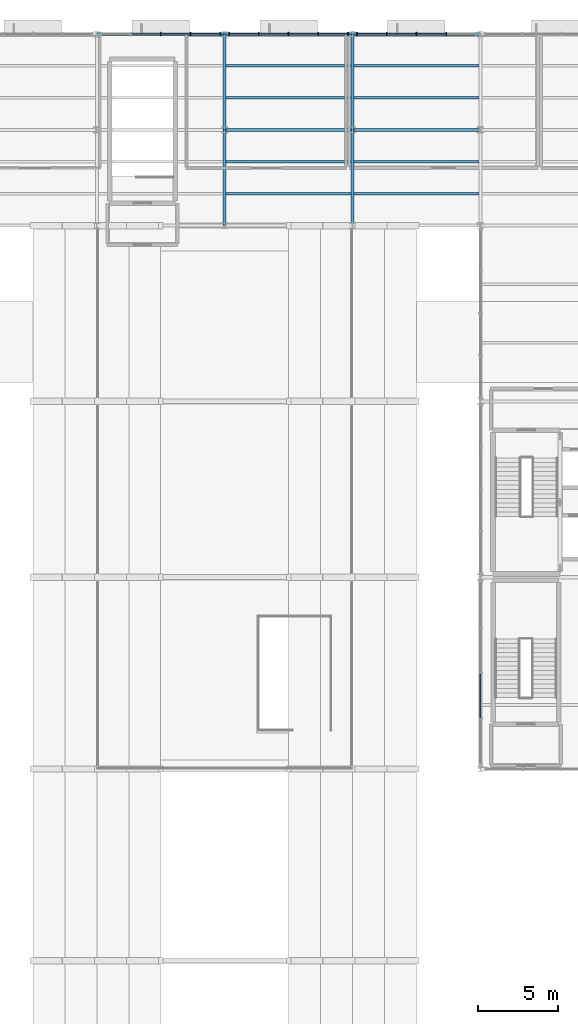
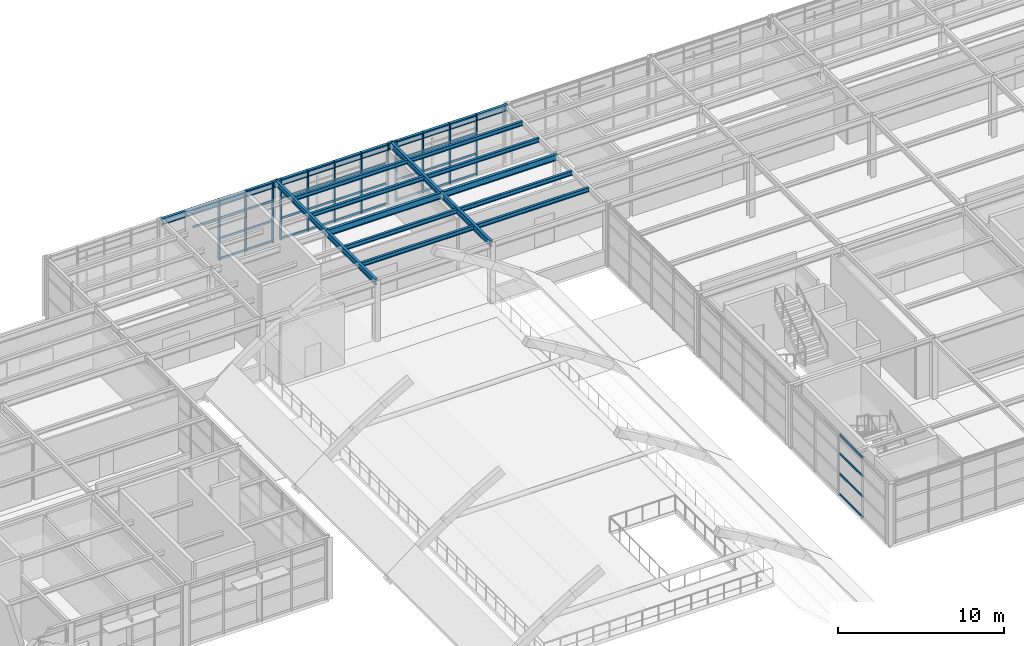
# One storey, part 31 of 82: 54 members, 17 beams, 4 elements without a shape of their own.
"""IFC4 building model written with IfcOpenShell, lengths in metres."""

from ifc_helpers import new_model, si_unit, direction, frame, origin, origin_2d, place, context, subcontext, project, spatial, rectangle, i_section, extrude, material, layer, layer_set, material_profile, profile_set, type_object, element, aggregate, save


model = new_model("IFC4")

# Units and contexts
model_context = context("Model", 3, precision=1e-05, world=origin(), true_north=direction((0.0, 1.0)))
body_context = subcontext(model_context, "Body", "Model", "MODEL_VIEW")
ifc_project = project(units=[si_unit("LENGTHUNIT", "METRE"), si_unit("AREAUNIT", "SQUARE_METRE"), si_unit("VOLUMEUNIT", "CUBIC_METRE"), si_unit("PLANEANGLEUNIT", "RADIAN"), si_unit("MASSUNIT", "GRAM", prefix="KILO")], contexts=[model_context])

# Site, building, storey
site_placement = place(None, origin())
site = spatial("IfcSite", under=ifc_project, at=site_placement, CompositionType="ELEMENT")
building_placement = place(site_placement, origin())
building = spatial("IfcBuilding", under=site, at=building_placement, Name="Sitalva Quay Ferry Terminal", CompositionType="ELEMENT")
storey_placement = place(building_placement, frame((0.0, 0.0, 5.39990234375)))
storey = spatial("IfcBuildingStorey", under=building, at=storey_placement, Name="L02", CompositionType="ELEMENT", Elevation=5.39990234375)

# Beams
ifc_material_1 = material(Name="Structural Steel S355JR", Category="steel")
ifc_material_profile_1 = material_profile(ifc_material_1, i_section(OverallWidth=0.180908203125, OverallDepth=0.4169921875, WebThickness=0.010986328125, FlangeThickness=0.018310546875, FilletRadius=0.012939453125, at=origin_2d()), Name="W410x85")
ifc_profile_set_1 = profile_set([ifc_material_profile_1], Name="Structural Steel S355JR")
beam_type_1 = type_object("IfcBeamType", Name="Beam_W410x85", PredefinedType="BEAM", material=ifc_profile_set_1)
for number, where, z_axis, x_axis, name in (
    (1, (58.0, 100.0, 4.24169921875), (0.0, 1.0, 0.0), (-1.0, 0.0, 0.0), "L02 Primary Y girder 1144"),
    (2, (58.0, 106.0, 4.24169921875), (0.0, 1.0, 0.0), (-1.0, 0.0, 0.0), "L02 Primary Y girder 1145"),
    (3, (66.0, 100.0, 4.24169921875), (0.0, 1.0, 0.0), (-1.0, 0.0, 0.0), "L02 Primary Y girder 1146"),
    (4, (66.0, 106.0, 4.24169921875), (0.0, 1.0, 0.0), (-1.0, 0.0, 0.0), "L02 Primary Y girder 1147"),
):
    element("IfcBeam", number, at=place(storey_placement, frame(where, z_axis=z_axis, x_axis=x_axis)), inside=storey, type_object=beam_type_1, Name=name, PredefinedType="BEAM", context=body_context, shape_type="SweptSolid", body=[
        extrude(i_section(OverallWidth=0.180908203125, OverallDepth=0.4169921875, WebThickness=0.010986328125, FlangeThickness=0.018310546875, FilletRadius=0.012939453125, at=origin_2d()), origin(), (0.0, 0.0, 1.0), 6.0),
    ])
ifc_material_2 = material(Name="Structural Steel S355JR", Category="steel")
ifc_material_profile_2 = material_profile(ifc_material_2, i_section(OverallWidth=0.19091796875, OverallDepth=0.4599609375, WebThickness=0.010009765625, FlangeThickness=0.01611328125, FilletRadius=0.013916015625, at=origin_2d()), Name="W460x82")
ifc_profile_set_2 = profile_set([ifc_material_profile_2], Name="Structural Steel S355JR")
beam_type_2 = type_object("IfcBeamType", Name="Beam_W460x82", PredefinedType="BEAM", material=ifc_profile_set_2)
for number, where, z_axis, x_axis, name in (
    (5, (58.0, 106.0, 4.22021484375), (1.0, 0.0, 0.0), (0.0, 1.0, 0.0), "L02 Primary X girder 1135"),
    (6, (66.0, 106.0, 4.22021484375), (1.0, 0.0, 0.0), (0.0, 1.0, 0.0), "L02 Primary X girder 1136"),
    (7, (50.0, 112.0, 4.22021484375), (1.0, 0.0, 0.0), (0.0, 1.0, 0.0), "L02 Primary X girder 1138"),
    (8, (58.0, 112.0, 4.22021484375), (1.0, 0.0, 0.0), (0.0, 1.0, 0.0), "L02 Primary X girder 1139"),
    (9, (66.0, 112.0, 4.22021484375), (1.0, 0.0, 0.0), (0.0, 1.0, 0.0), "L02 Primary X girder 1140"),
):
    element("IfcBeam", number, at=place(storey_placement, frame(where, z_axis=z_axis, x_axis=x_axis)), inside=storey, type_object=beam_type_2, Name=name, PredefinedType="BEAM", context=body_context, shape_type="SweptSolid", body=[
        extrude(i_section(OverallWidth=0.19091796875, OverallDepth=0.4599609375, WebThickness=0.010009765625, FlangeThickness=0.01611328125, FilletRadius=0.013916015625, at=origin_2d()), origin(), (0.0, 0.0, 1.0), 8.0),
    ])
ifc_material_3 = material(Name="Structural Steel S355JR", Category="steel")
ifc_material_profile_3 = material_profile(ifc_material_3, i_section(OverallWidth=0.166015625, OverallDepth=0.31298828125, WebThickness=0.006591796875, FlangeThickness=0.01123046875, FilletRadius=0.010986328125, at=origin_2d()), Name="W310x45")
ifc_profile_set_3 = profile_set([ifc_material_profile_3], Name="Structural Steel S355JR")
beam_type_3 = type_object("IfcBeamType", Name="Joist_W310x45", PredefinedType="JOIST", material=ifc_profile_set_3)
for number, where, z_axis, x_axis, name in (
    (10, (58.090576171875, 102.0, 4.293701171875), (1.0, 0.0, 0.0), (0.0, 1.0, 0.0), "L02 Secondary joist 1151"),
    (11, (66.090576171875, 102.0, 4.293701171875), (1.0, 0.0, 0.0), (0.0, 1.0, 0.0), "L02 Secondary joist 1152"),
    (12, (58.090576171875, 104.0, 4.293701171875), (1.0, 0.0, 0.0), (0.0, 1.0, 0.0), "L02 Secondary joist 1155"),
    (13, (66.090576171875, 104.0, 4.293701171875), (1.0, 0.0, 0.0), (0.0, 1.0, 0.0), "L02 Secondary joist 1156"),
    (14, (58.090576171875, 108.0, 4.293701171875), (1.0, 0.0, 0.0), (0.0, 1.0, 0.0), "L02 Secondary joist 1159"),
    (15, (66.090576171875, 108.0, 4.293701171875), (1.0, 0.0, 0.0), (0.0, 1.0, 0.0), "L02 Secondary joist 1160"),
    (16, (58.090576171875, 110.0, 4.293701171875), (1.0, 0.0, 0.0), (0.0, 1.0, 0.0), "L02 Secondary joist 1163"),
    (17, (66.090576171875, 110.0, 4.293701171875), (1.0, 0.0, 0.0), (0.0, 1.0, 0.0), "L02 Secondary joist 1164"),
):
    element("IfcBeam", number, at=place(storey_placement, frame(where, z_axis=z_axis, x_axis=x_axis)), inside=storey, type_object=beam_type_3, Name=name, PredefinedType="JOIST", context=body_context, shape_type="SweptSolid", body=[
        extrude(i_section(OverallWidth=0.166015625, OverallDepth=0.31298828125, WebThickness=0.006591796875, FlangeThickness=0.01123046875, FilletRadius=0.010986328125, at=origin_2d()), origin(), (0.0, 0.0, 1.0), 7.81884765625),
    ])

# Curtain wall, members
ifc_material_4 = material(Name="Anodised Aluminium & Low-E Glazing", Category="aluminium")
ifc_layer_1 = layer(ifc_material_4, 0.159912109375)
ifc_layer_set_1 = layer_set([ifc_layer_1], Name="Anodised Aluminium & Low-E Glazing")
curtain_wall_type_1 = type_object("IfcCurtainWallType", Name="CW_Office_Unitised", PredefinedType="USERDEFINED", material=ifc_layer_set_1)
curtain_wall_1_placement = place(storey_placement, origin())
curtain_wall_1 = element("IfcCurtainWall", 18, at=curtain_wall_1_placement, inside=storey, type_object=curtain_wall_type_1, Name="L02 forecourt horizontal curtain wall (CW-L02-116)", ObjectType="CURTAIN_WALL", PredefinedType="USERDEFINED")
ifc_material_5 = material(Name="Anodised Aluminium 6063-T6", Category="aluminium")
ifc_material_profile_4 = material_profile(ifc_material_5, rectangle(XDim=0.074951171875, YDim=0.219970703125, at=origin_2d()), Name="ALU75x220")
ifc_profile_set_4 = profile_set([ifc_material_profile_4], Name="Anodised Aluminium 6063-T6")
member_type_1 = type_object("IfcMemberType", Name="Mullion_Alu_75x160", PredefinedType="MULLION", material=ifc_profile_set_4)
member_1_placement = place(storey_placement, frame((54.0, 112.0, 0.0), z_axis=(0.0, 0.0, 1.0), x_axis=(1.0, 0.0, 0.0)))
member_1 = element("IfcMember", 19, at=member_1_placement, type_object=member_type_1, Name="CW-L02-116-M2", PredefinedType="MULLION", context=body_context, shape_type="SweptSolid", body=[
    extrude(rectangle(XDim=0.074951171875, YDim=0.219970703125, at=origin_2d()), origin(), (0.0, 0.0, 1.0), 4.4501953125),
])
member_2_placement = place(storey_placement, frame((55.860107421875, 112.0, 0.0), z_axis=(0.0, 0.0, 1.0), x_axis=(1.0, 0.0, 0.0)))
member_2 = element("IfcMember", 20, at=member_2_placement, type_object=member_type_1, Name="CW-L02-116-M3", PredefinedType="MULLION", context=body_context, shape_type="SweptSolid", body=[
    extrude(rectangle(XDim=0.074951171875, YDim=0.219970703125, at=origin_2d()), origin(), (0.0, 0.0, 1.0), 4.4501953125),
])
member_3_placement = place(storey_placement, frame((57.719970703125, 112.0, 0.0), z_axis=(0.0, 0.0, 1.0), x_axis=(1.0, 0.0, 0.0)))
member_3 = element("IfcMember", 21, at=member_3_placement, type_object=member_type_1, Name="CW-L02-116-M4", PredefinedType="MULLION", context=body_context, shape_type="SweptSolid", body=[
    extrude(rectangle(XDim=0.074951171875, YDim=0.219970703125, at=origin_2d()), origin(), (0.0, 0.0, 1.0), 4.4501953125),
])

curtain_wall_2_placement = place(storey_placement, origin())
curtain_wall_2 = element("IfcCurtainWall", 22, at=curtain_wall_2_placement, inside=storey, type_object=curtain_wall_type_1, Name="L02 forecourt horizontal curtain wall (CW-L02-117)", ObjectType="CURTAIN_WALL", PredefinedType="USERDEFINED")
member_4_placement = place(storey_placement, frame((58.280029296875, 112.0, 0.0), z_axis=(0.0, 0.0, 1.0), x_axis=(1.0, 0.0, 0.0)))
member_4 = element("IfcMember", 23, at=member_4_placement, type_object=member_type_1, Name="CW-L02-117-M0", PredefinedType="MULLION", context=body_context, shape_type="SweptSolid", body=[
    extrude(rectangle(XDim=0.074951171875, YDim=0.219970703125, at=origin_2d()), origin(), (0.0, 0.0, 1.0), 4.4501953125),
])
member_5_placement = place(storey_placement, frame((60.139892578125, 112.0, 0.0), z_axis=(0.0, 0.0, 1.0), x_axis=(1.0, 0.0, 0.0)))
member_5 = element("IfcMember", 24, at=member_5_placement, type_object=member_type_1, Name="CW-L02-117-M1", PredefinedType="MULLION", context=body_context, shape_type="SweptSolid", body=[
    extrude(rectangle(XDim=0.074951171875, YDim=0.219970703125, at=origin_2d()), origin(), (0.0, 0.0, 1.0), 4.4501953125),
])
member_6_placement = place(storey_placement, frame((62.0, 112.0, 0.0), z_axis=(0.0, 0.0, 1.0), x_axis=(1.0, 0.0, 0.0)))
member_6 = element("IfcMember", 25, at=member_6_placement, type_object=member_type_1, Name="CW-L02-117-M2", PredefinedType="MULLION", context=body_context, shape_type="SweptSolid", body=[
    extrude(rectangle(XDim=0.074951171875, YDim=0.219970703125, at=origin_2d()), origin(), (0.0, 0.0, 1.0), 4.4501953125),
])
member_7_placement = place(storey_placement, frame((63.860107421875, 112.0, 0.0), z_axis=(0.0, 0.0, 1.0), x_axis=(1.0, 0.0, 0.0)))
member_7 = element("IfcMember", 26, at=member_7_placement, type_object=member_type_1, Name="CW-L02-117-M3", PredefinedType="MULLION", context=body_context, shape_type="SweptSolid", body=[
    extrude(rectangle(XDim=0.074951171875, YDim=0.219970703125, at=origin_2d()), origin(), (0.0, 0.0, 1.0), 4.4501953125),
])
member_8_placement = place(storey_placement, frame((65.719970703125, 112.0, 0.0), z_axis=(0.0, 0.0, 1.0), x_axis=(1.0, 0.0, 0.0)))
member_8 = element("IfcMember", 27, at=member_8_placement, type_object=member_type_1, Name="CW-L02-117-M4", PredefinedType="MULLION", context=body_context, shape_type="SweptSolid", body=[
    extrude(rectangle(XDim=0.074951171875, YDim=0.219970703125, at=origin_2d()), origin(), (0.0, 0.0, 1.0), 4.4501953125),
])

curtain_wall_3_placement = place(storey_placement, origin())
curtain_wall_3 = element("IfcCurtainWall", 28, at=curtain_wall_3_placement, inside=storey, type_object=curtain_wall_type_1, Name="L02 forecourt horizontal curtain wall (CW-L02-118)", ObjectType="CURTAIN_WALL", PredefinedType="USERDEFINED")
member_9_placement = place(storey_placement, frame((66.280029296875, 112.0, 0.0), z_axis=(0.0, 0.0, 1.0), x_axis=(1.0, 0.0, 0.0)))
member_9 = element("IfcMember", 29, at=member_9_placement, type_object=member_type_1, Name="CW-L02-118-M0", PredefinedType="MULLION", context=body_context, shape_type="SweptSolid", body=[
    extrude(rectangle(XDim=0.074951171875, YDim=0.219970703125, at=origin_2d()), origin(), (0.0, 0.0, 1.0), 4.4501953125),
])
member_10_placement = place(storey_placement, frame((68.139892578125, 112.0, 0.0), z_axis=(0.0, 0.0, 1.0), x_axis=(1.0, 0.0, 0.0)))
member_10 = element("IfcMember", 30, at=member_10_placement, type_object=member_type_1, Name="CW-L02-118-M1", PredefinedType="MULLION", context=body_context, shape_type="SweptSolid", body=[
    extrude(rectangle(XDim=0.074951171875, YDim=0.219970703125, at=origin_2d()), origin(), (0.0, 0.0, 1.0), 4.4501953125),
])
member_11_placement = place(storey_placement, frame((70.0, 112.0, 0.0), z_axis=(0.0, 0.0, 1.0), x_axis=(1.0, 0.0, 0.0)))
member_11 = element("IfcMember", 31, at=member_11_placement, type_object=member_type_1, Name="CW-L02-118-M2", PredefinedType="MULLION", context=body_context, shape_type="SweptSolid", body=[
    extrude(rectangle(XDim=0.074951171875, YDim=0.219970703125, at=origin_2d()), origin(), (0.0, 0.0, 1.0), 4.4501953125),
])
member_12_placement = place(storey_placement, frame((71.860107421875, 112.0, 0.0), z_axis=(0.0, 0.0, 1.0), x_axis=(1.0, 0.0, 0.0)))
member_12 = element("IfcMember", 32, at=member_12_placement, type_object=member_type_1, Name="CW-L02-118-M3", PredefinedType="MULLION", context=body_context, shape_type="SweptSolid", body=[
    extrude(rectangle(XDim=0.074951171875, YDim=0.219970703125, at=origin_2d()), origin(), (0.0, 0.0, 1.0), 4.4501953125),
])

ifc_material_6 = material(Name="Anodised Aluminium & Low-E Glazing", Category="aluminium")
ifc_layer_2 = layer(ifc_material_6, 0.159912109375)
ifc_layer_set_2 = layer_set([ifc_layer_2], Name="Anodised Aluminium & Low-E Glazing")
curtain_wall_type_2 = type_object("IfcCurtainWallType", Name="CW_Podium_Stick", PredefinedType="USERDEFINED", material=ifc_layer_set_2)
curtain_wall_4_placement = place(storey_placement, origin())
curtain_wall_4 = element("IfcCurtainWall", 33, at=curtain_wall_4_placement, inside=storey, type_object=curtain_wall_type_2, Name="L02 spine west clerestory over V1 eaves (CW-L02-085)", ObjectType="CURTAIN_WALL", PredefinedType="USERDEFINED")
ifc_material_7 = material(Name="Anodised Aluminium 6063-T6", Category="aluminium")
ifc_material_profile_5 = material_profile(ifc_material_7, rectangle(XDim=0.074951171875, YDim=0.155029296875, at=origin_2d()), Name="ALU75x155")
ifc_profile_set_5 = profile_set([ifc_material_profile_5], Name="Anodised Aluminium 6063-T6")
member_type_2 = type_object("IfcMemberType", Name="Transom_Alu_70x135", PredefinedType="MULLION", material=ifc_profile_set_5)
member_13_placement = place(storey_placement, frame((74.0, 69.197509765625, 0.07763671875), z_axis=(0.0, 1.0, 0.0), x_axis=(-1.0, 0.0, 0.0)))
member_13 = element("IfcMember", 34, at=member_13_placement, type_object=member_type_2, Name="CW-L02-085-T1-0", ObjectType="TRANSOM", PredefinedType="USERDEFINED", context=body_context, shape_type="SweptSolid", body=[
    extrude(rectangle(XDim=0.074951171875, YDim=0.155029296875, at=origin_2d()), origin(), (0.0, 0.0, 1.0), 2.764892578125),
])
member_14_placement = place(storey_placement, frame((74.0, 69.197509765625, 1.57763671875), z_axis=(0.0, 1.0, 0.0), x_axis=(-1.0, 0.0, 0.0)))
member_14 = element("IfcMember", 35, at=member_14_placement, type_object=member_type_2, Name="CW-L02-085-T1-1", ObjectType="TRANSOM", PredefinedType="USERDEFINED", context=body_context, shape_type="SweptSolid", body=[
    extrude(rectangle(XDim=0.074951171875, YDim=0.155029296875, at=origin_2d()), origin(), (0.0, 0.0, 1.0), 2.764892578125),
])
member_15_placement = place(storey_placement, frame((74.0, 69.197509765625, 3.07763671875), z_axis=(0.0, 1.0, 0.0), x_axis=(-1.0, 0.0, 0.0)))
member_15 = element("IfcMember", 36, at=member_15_placement, type_object=member_type_2, Name="CW-L02-085-T1-2", ObjectType="TRANSOM", PredefinedType="USERDEFINED", context=body_context, shape_type="SweptSolid", body=[
    extrude(rectangle(XDim=0.074951171875, YDim=0.155029296875, at=origin_2d()), origin(), (0.0, 0.0, 1.0), 2.764892578125),
])
member_16_placement = place(storey_placement, frame((74.0, 69.197509765625, 4.422607421875), z_axis=(0.0, 1.0, 0.0), x_axis=(-1.0, 0.0, 0.0)))
member_16 = element("IfcMember", 37, at=member_16_placement, type_object=member_type_2, Name="CW-L02-085-T1-3", ObjectType="TRANSOM", PredefinedType="USERDEFINED", context=body_context, shape_type="SweptSolid", body=[
    extrude(rectangle(XDim=0.074951171875, YDim=0.155029296875, at=origin_2d()), origin(), (0.0, 0.0, 1.0), 2.764892578125),
])
aggregate(curtain_wall_4, [member_13, member_14, member_15, member_16])

# Member
ifc_material_8 = material(Name="Anodised Aluminium 6063-T6", Category="aluminium")
ifc_material_profile_6 = material_profile(ifc_material_8, rectangle(XDim=0.074951171875, YDim=0.14990234375, at=origin_2d()), Name="ALU75x150")
ifc_profile_set_6 = profile_set([ifc_material_profile_6], Name="Anodised Aluminium 6063-T6")
member_type_3 = type_object("IfcMemberType", Name="Transom_Alu_75x140", PredefinedType="MULLION", material=ifc_profile_set_6)
member_17_placement = place(storey_placement, frame((52.177490234375, 112.0, 3.041748046875), z_axis=(1.0, 0.0, 0.0), x_axis=(0.0, 1.0, 0.0)))
member_17 = element("IfcMember", 38, at=member_17_placement, type_object=member_type_3, Name="CW-L02-116-T1-2", ObjectType="TRANSOM", PredefinedType="USERDEFINED", context=body_context, shape_type="SweptSolid", body=[
    extrude(rectangle(XDim=0.074951171875, YDim=0.14990234375, at=origin_2d()), origin(), (0.0, 0.0, 1.0), 1.784912109375),
])

member_18_placement = place(storey_placement, frame((52.177490234375, 112.0, 4.375), z_axis=(1.0, 0.0, 0.0), x_axis=(0.0, 1.0, 0.0)))
member_18 = element("IfcMember", 39, at=member_18_placement, type_object=member_type_3, Name="CW-L02-116-T1-3", ObjectType="TRANSOM", PredefinedType="USERDEFINED", context=body_context, shape_type="SweptSolid", body=[
    extrude(rectangle(XDim=0.074951171875, YDim=0.14990234375, at=origin_2d()), origin(), (0.0, 0.0, 1.0), 1.784912109375),
])

member_19_placement = place(storey_placement, frame((54.03759765625, 112.0, 0.0751953125), z_axis=(1.0, 0.0, 0.0), x_axis=(0.0, 1.0, 0.0)))
member_19 = element("IfcMember", 40, at=member_19_placement, type_object=member_type_3, Name="CW-L02-116-T2-0", ObjectType="TRANSOM", PredefinedType="USERDEFINED", context=body_context, shape_type="SweptSolid", body=[
    extrude(rectangle(XDim=0.074951171875, YDim=0.14990234375, at=origin_2d()), origin(), (0.0, 0.0, 1.0), 1.784912109375),
])

member_20_placement = place(storey_placement, frame((54.03759765625, 112.0, 1.558349609375), z_axis=(1.0, 0.0, 0.0), x_axis=(0.0, 1.0, 0.0)))
member_20 = element("IfcMember", 41, at=member_20_placement, type_object=member_type_3, Name="CW-L02-116-T2-1", ObjectType="TRANSOM", PredefinedType="USERDEFINED", context=body_context, shape_type="SweptSolid", body=[
    extrude(rectangle(XDim=0.074951171875, YDim=0.14990234375, at=origin_2d()), origin(), (0.0, 0.0, 1.0), 1.784912109375),
])

member_21_placement = place(storey_placement, frame((54.03759765625, 112.0, 3.041748046875), z_axis=(1.0, 0.0, 0.0), x_axis=(0.0, 1.0, 0.0)))
member_21 = element("IfcMember", 42, at=member_21_placement, type_object=member_type_3, Name="CW-L02-116-T2-2", ObjectType="TRANSOM", PredefinedType="USERDEFINED", context=body_context, shape_type="SweptSolid", body=[
    extrude(rectangle(XDim=0.074951171875, YDim=0.14990234375, at=origin_2d()), origin(), (0.0, 0.0, 1.0), 1.784912109375),
])

member_22_placement = place(storey_placement, frame((54.03759765625, 112.0, 4.375), z_axis=(1.0, 0.0, 0.0), x_axis=(0.0, 1.0, 0.0)))
member_22 = element("IfcMember", 43, at=member_22_placement, type_object=member_type_3, Name="CW-L02-116-T2-3", ObjectType="TRANSOM", PredefinedType="USERDEFINED", context=body_context, shape_type="SweptSolid", body=[
    extrude(rectangle(XDim=0.074951171875, YDim=0.14990234375, at=origin_2d()), origin(), (0.0, 0.0, 1.0), 1.784912109375),
])

member_23_placement = place(storey_placement, frame((55.8974609375, 112.0, 0.0751953125), z_axis=(1.0, 0.0, 0.0), x_axis=(0.0, 1.0, 0.0)))
member_23 = element("IfcMember", 44, at=member_23_placement, type_object=member_type_3, Name="CW-L02-116-T3-0", ObjectType="TRANSOM", PredefinedType="USERDEFINED", context=body_context, shape_type="SweptSolid", body=[
    extrude(rectangle(XDim=0.074951171875, YDim=0.14990234375, at=origin_2d()), origin(), (0.0, 0.0, 1.0), 1.78515625),
])

member_24_placement = place(storey_placement, frame((55.8974609375, 112.0, 1.558349609375), z_axis=(1.0, 0.0, 0.0), x_axis=(0.0, 1.0, 0.0)))
member_24 = element("IfcMember", 45, at=member_24_placement, type_object=member_type_3, Name="CW-L02-116-T3-1", ObjectType="TRANSOM", PredefinedType="USERDEFINED", context=body_context, shape_type="SweptSolid", body=[
    extrude(rectangle(XDim=0.074951171875, YDim=0.14990234375, at=origin_2d()), origin(), (0.0, 0.0, 1.0), 1.78515625),
])

member_25_placement = place(storey_placement, frame((55.8974609375, 112.0, 3.041748046875), z_axis=(1.0, 0.0, 0.0), x_axis=(0.0, 1.0, 0.0)))
member_25 = element("IfcMember", 46, at=member_25_placement, type_object=member_type_3, Name="CW-L02-116-T3-2", ObjectType="TRANSOM", PredefinedType="USERDEFINED", context=body_context, shape_type="SweptSolid", body=[
    extrude(rectangle(XDim=0.074951171875, YDim=0.14990234375, at=origin_2d()), origin(), (0.0, 0.0, 1.0), 1.78515625),
])

member_26_placement = place(storey_placement, frame((55.8974609375, 112.0, 4.375), z_axis=(1.0, 0.0, 0.0), x_axis=(0.0, 1.0, 0.0)))
member_26 = element("IfcMember", 47, at=member_26_placement, type_object=member_type_3, Name="CW-L02-116-T3-3", ObjectType="TRANSOM", PredefinedType="USERDEFINED", context=body_context, shape_type="SweptSolid", body=[
    extrude(rectangle(XDim=0.074951171875, YDim=0.14990234375, at=origin_2d()), origin(), (0.0, 0.0, 1.0), 1.78515625),
])

aggregate(curtain_wall_1, [member_1, member_2, member_3, member_17, member_18, member_19, member_20, member_21, member_22, member_23, member_24, member_25, member_26])

member_27_placement = place(storey_placement, frame((58.3173828125, 112.0, 0.0751953125), z_axis=(1.0, 0.0, 0.0), x_axis=(0.0, 1.0, 0.0)))
member_27 = element("IfcMember", 48, at=member_27_placement, type_object=member_type_3, Name="CW-L02-117-T0-0", ObjectType="TRANSOM", PredefinedType="USERDEFINED", context=body_context, shape_type="SweptSolid", body=[
    extrude(rectangle(XDim=0.074951171875, YDim=0.14990234375, at=origin_2d()), origin(), (0.0, 0.0, 1.0), 1.78515625),
])

member_28_placement = place(storey_placement, frame((58.3173828125, 112.0, 1.558349609375), z_axis=(1.0, 0.0, 0.0), x_axis=(0.0, 1.0, 0.0)))
member_28 = element("IfcMember", 49, at=member_28_placement, type_object=member_type_3, Name="CW-L02-117-T0-1", ObjectType="TRANSOM", PredefinedType="USERDEFINED", context=body_context, shape_type="SweptSolid", body=[
    extrude(rectangle(XDim=0.074951171875, YDim=0.14990234375, at=origin_2d()), origin(), (0.0, 0.0, 1.0), 1.78515625),
])

member_29_placement = place(storey_placement, frame((58.3173828125, 112.0, 3.041748046875), z_axis=(1.0, 0.0, 0.0), x_axis=(0.0, 1.0, 0.0)))
member_29 = element("IfcMember", 50, at=member_29_placement, type_object=member_type_3, Name="CW-L02-117-T0-2", ObjectType="TRANSOM", PredefinedType="USERDEFINED", context=body_context, shape_type="SweptSolid", body=[
    extrude(rectangle(XDim=0.074951171875, YDim=0.14990234375, at=origin_2d()), origin(), (0.0, 0.0, 1.0), 1.78515625),
])

member_30_placement = place(storey_placement, frame((58.3173828125, 112.0, 4.375), z_axis=(1.0, 0.0, 0.0), x_axis=(0.0, 1.0, 0.0)))
member_30 = element("IfcMember", 51, at=member_30_placement, type_object=member_type_3, Name="CW-L02-117-T0-3", ObjectType="TRANSOM", PredefinedType="USERDEFINED", context=body_context, shape_type="SweptSolid", body=[
    extrude(rectangle(XDim=0.074951171875, YDim=0.14990234375, at=origin_2d()), origin(), (0.0, 0.0, 1.0), 1.78515625),
])

member_31_placement = place(storey_placement, frame((60.177490234375, 112.0, 0.0751953125), z_axis=(1.0, 0.0, 0.0), x_axis=(0.0, 1.0, 0.0)))
member_31 = element("IfcMember", 52, at=member_31_placement, type_object=member_type_3, Name="CW-L02-117-T1-0", ObjectType="TRANSOM", PredefinedType="USERDEFINED", context=body_context, shape_type="SweptSolid", body=[
    extrude(rectangle(XDim=0.074951171875, YDim=0.14990234375, at=origin_2d()), origin(), (0.0, 0.0, 1.0), 1.784912109375),
])

member_32_placement = place(storey_placement, frame((60.177490234375, 112.0, 1.558349609375), z_axis=(1.0, 0.0, 0.0), x_axis=(0.0, 1.0, 0.0)))
member_32 = element("IfcMember", 53, at=member_32_placement, type_object=member_type_3, Name="CW-L02-117-T1-1", ObjectType="TRANSOM", PredefinedType="USERDEFINED", context=body_context, shape_type="SweptSolid", body=[
    extrude(rectangle(XDim=0.074951171875, YDim=0.14990234375, at=origin_2d()), origin(), (0.0, 0.0, 1.0), 1.784912109375),
])

member_33_placement = place(storey_placement, frame((60.177490234375, 112.0, 3.041748046875), z_axis=(1.0, 0.0, 0.0), x_axis=(0.0, 1.0, 0.0)))
member_33 = element("IfcMember", 54, at=member_33_placement, type_object=member_type_3, Name="CW-L02-117-T1-2", ObjectType="TRANSOM", PredefinedType="USERDEFINED", context=body_context, shape_type="SweptSolid", body=[
    extrude(rectangle(XDim=0.074951171875, YDim=0.14990234375, at=origin_2d()), origin(), (0.0, 0.0, 1.0), 1.784912109375),
])

member_34_placement = place(storey_placement, frame((60.177490234375, 112.0, 4.375), z_axis=(1.0, 0.0, 0.0), x_axis=(0.0, 1.0, 0.0)))
member_34 = element("IfcMember", 55, at=member_34_placement, type_object=member_type_3, Name="CW-L02-117-T1-3", ObjectType="TRANSOM", PredefinedType="USERDEFINED", context=body_context, shape_type="SweptSolid", body=[
    extrude(rectangle(XDim=0.074951171875, YDim=0.14990234375, at=origin_2d()), origin(), (0.0, 0.0, 1.0), 1.784912109375),
])

member_35_placement = place(storey_placement, frame((62.03759765625, 112.0, 0.0751953125), z_axis=(1.0, 0.0, 0.0), x_axis=(0.0, 1.0, 0.0)))
member_35 = element("IfcMember", 56, at=member_35_placement, type_object=member_type_3, Name="CW-L02-117-T2-0", ObjectType="TRANSOM", PredefinedType="USERDEFINED", context=body_context, shape_type="SweptSolid", body=[
    extrude(rectangle(XDim=0.074951171875, YDim=0.14990234375, at=origin_2d()), origin(), (0.0, 0.0, 1.0), 1.784912109375),
])

member_36_placement = place(storey_placement, frame((62.03759765625, 112.0, 1.558349609375), z_axis=(1.0, 0.0, 0.0), x_axis=(0.0, 1.0, 0.0)))
member_36 = element("IfcMember", 57, at=member_36_placement, type_object=member_type_3, Name="CW-L02-117-T2-1", ObjectType="TRANSOM", PredefinedType="USERDEFINED", context=body_context, shape_type="SweptSolid", body=[
    extrude(rectangle(XDim=0.074951171875, YDim=0.14990234375, at=origin_2d()), origin(), (0.0, 0.0, 1.0), 1.784912109375),
])

member_37_placement = place(storey_placement, frame((62.03759765625, 112.0, 3.041748046875), z_axis=(1.0, 0.0, 0.0), x_axis=(0.0, 1.0, 0.0)))
member_37 = element("IfcMember", 58, at=member_37_placement, type_object=member_type_3, Name="CW-L02-117-T2-2", ObjectType="TRANSOM", PredefinedType="USERDEFINED", context=body_context, shape_type="SweptSolid", body=[
    extrude(rectangle(XDim=0.074951171875, YDim=0.14990234375, at=origin_2d()), origin(), (0.0, 0.0, 1.0), 1.784912109375),
])

member_38_placement = place(storey_placement, frame((62.03759765625, 112.0, 4.375), z_axis=(1.0, 0.0, 0.0), x_axis=(0.0, 1.0, 0.0)))
member_38 = element("IfcMember", 59, at=member_38_placement, type_object=member_type_3, Name="CW-L02-117-T2-3", ObjectType="TRANSOM", PredefinedType="USERDEFINED", context=body_context, shape_type="SweptSolid", body=[
    extrude(rectangle(XDim=0.074951171875, YDim=0.14990234375, at=origin_2d()), origin(), (0.0, 0.0, 1.0), 1.784912109375),
])

member_39_placement = place(storey_placement, frame((63.8974609375, 112.0, 0.0751953125), z_axis=(1.0, 0.0, 0.0), x_axis=(0.0, 1.0, 0.0)))
member_39 = element("IfcMember", 60, at=member_39_placement, type_object=member_type_3, Name="CW-L02-117-T3-0", ObjectType="TRANSOM", PredefinedType="USERDEFINED", context=body_context, shape_type="SweptSolid", body=[
    extrude(rectangle(XDim=0.074951171875, YDim=0.14990234375, at=origin_2d()), origin(), (0.0, 0.0, 1.0), 1.78515625),
])

member_40_placement = place(storey_placement, frame((63.8974609375, 112.0, 1.558349609375), z_axis=(1.0, 0.0, 0.0), x_axis=(0.0, 1.0, 0.0)))
member_40 = element("IfcMember", 61, at=member_40_placement, type_object=member_type_3, Name="CW-L02-117-T3-1", ObjectType="TRANSOM", PredefinedType="USERDEFINED", context=body_context, shape_type="SweptSolid", body=[
    extrude(rectangle(XDim=0.074951171875, YDim=0.14990234375, at=origin_2d()), origin(), (0.0, 0.0, 1.0), 1.78515625),
])

member_41_placement = place(storey_placement, frame((63.8974609375, 112.0, 3.041748046875), z_axis=(1.0, 0.0, 0.0), x_axis=(0.0, 1.0, 0.0)))
member_41 = element("IfcMember", 62, at=member_41_placement, type_object=member_type_3, Name="CW-L02-117-T3-2", ObjectType="TRANSOM", PredefinedType="USERDEFINED", context=body_context, shape_type="SweptSolid", body=[
    extrude(rectangle(XDim=0.074951171875, YDim=0.14990234375, at=origin_2d()), origin(), (0.0, 0.0, 1.0), 1.78515625),
])

member_42_placement = place(storey_placement, frame((63.8974609375, 112.0, 4.375), z_axis=(1.0, 0.0, 0.0), x_axis=(0.0, 1.0, 0.0)))
member_42 = element("IfcMember", 63, at=member_42_placement, type_object=member_type_3, Name="CW-L02-117-T3-3", ObjectType="TRANSOM", PredefinedType="USERDEFINED", context=body_context, shape_type="SweptSolid", body=[
    extrude(rectangle(XDim=0.074951171875, YDim=0.14990234375, at=origin_2d()), origin(), (0.0, 0.0, 1.0), 1.78515625),
])

aggregate(curtain_wall_2, [member_4, member_5, member_6, member_7, member_8, member_27, member_28, member_29, member_30, member_31, member_32, member_33, member_34, member_35, member_36, member_37, member_38, member_39, member_40, member_41, member_42])

member_43_placement = place(storey_placement, frame((66.3173828125, 112.0, 0.0751953125), z_axis=(1.0, 0.0, 0.0), x_axis=(0.0, 1.0, 0.0)))
member_43 = element("IfcMember", 64, at=member_43_placement, type_object=member_type_3, Name="CW-L02-118-T0-0", ObjectType="TRANSOM", PredefinedType="USERDEFINED", context=body_context, shape_type="SweptSolid", body=[
    extrude(rectangle(XDim=0.074951171875, YDim=0.14990234375, at=origin_2d()), origin(), (0.0, 0.0, 1.0), 1.78515625),
])

member_44_placement = place(storey_placement, frame((66.3173828125, 112.0, 1.558349609375), z_axis=(1.0, 0.0, 0.0), x_axis=(0.0, 1.0, 0.0)))
member_44 = element("IfcMember", 65, at=member_44_placement, type_object=member_type_3, Name="CW-L02-118-T0-1", ObjectType="TRANSOM", PredefinedType="USERDEFINED", context=body_context, shape_type="SweptSolid", body=[
    extrude(rectangle(XDim=0.074951171875, YDim=0.14990234375, at=origin_2d()), origin(), (0.0, 0.0, 1.0), 1.78515625),
])

member_45_placement = place(storey_placement, frame((66.3173828125, 112.0, 3.041748046875), z_axis=(1.0, 0.0, 0.0), x_axis=(0.0, 1.0, 0.0)))
member_45 = element("IfcMember", 66, at=member_45_placement, type_object=member_type_3, Name="CW-L02-118-T0-2", ObjectType="TRANSOM", PredefinedType="USERDEFINED", context=body_context, shape_type="SweptSolid", body=[
    extrude(rectangle(XDim=0.074951171875, YDim=0.14990234375, at=origin_2d()), origin(), (0.0, 0.0, 1.0), 1.78515625),
])

member_46_placement = place(storey_placement, frame((66.3173828125, 112.0, 4.375), z_axis=(1.0, 0.0, 0.0), x_axis=(0.0, 1.0, 0.0)))
member_46 = element("IfcMember", 67, at=member_46_placement, type_object=member_type_3, Name="CW-L02-118-T0-3", ObjectType="TRANSOM", PredefinedType="USERDEFINED", context=body_context, shape_type="SweptSolid", body=[
    extrude(rectangle(XDim=0.074951171875, YDim=0.14990234375, at=origin_2d()), origin(), (0.0, 0.0, 1.0), 1.78515625),
])

member_47_placement = place(storey_placement, frame((68.177490234375, 112.0, 0.0751953125), z_axis=(1.0, 0.0, 0.0), x_axis=(0.0, 1.0, 0.0)))
member_47 = element("IfcMember", 68, at=member_47_placement, type_object=member_type_3, Name="CW-L02-118-T1-0", ObjectType="TRANSOM", PredefinedType="USERDEFINED", context=body_context, shape_type="SweptSolid", body=[
    extrude(rectangle(XDim=0.074951171875, YDim=0.14990234375, at=origin_2d()), origin(), (0.0, 0.0, 1.0), 1.784912109375),
])

member_48_placement = place(storey_placement, frame((68.177490234375, 112.0, 1.558349609375), z_axis=(1.0, 0.0, 0.0), x_axis=(0.0, 1.0, 0.0)))
member_48 = element("IfcMember", 69, at=member_48_placement, type_object=member_type_3, Name="CW-L02-118-T1-1", ObjectType="TRANSOM", PredefinedType="USERDEFINED", context=body_context, shape_type="SweptSolid", body=[
    extrude(rectangle(XDim=0.074951171875, YDim=0.14990234375, at=origin_2d()), origin(), (0.0, 0.0, 1.0), 1.784912109375),
])

member_49_placement = place(storey_placement, frame((68.177490234375, 112.0, 3.041748046875), z_axis=(1.0, 0.0, 0.0), x_axis=(0.0, 1.0, 0.0)))
member_49 = element("IfcMember", 70, at=member_49_placement, type_object=member_type_3, Name="CW-L02-118-T1-2", ObjectType="TRANSOM", PredefinedType="USERDEFINED", context=body_context, shape_type="SweptSolid", body=[
    extrude(rectangle(XDim=0.074951171875, YDim=0.14990234375, at=origin_2d()), origin(), (0.0, 0.0, 1.0), 1.784912109375),
])

member_50_placement = place(storey_placement, frame((68.177490234375, 112.0, 4.375), z_axis=(1.0, 0.0, 0.0), x_axis=(0.0, 1.0, 0.0)))
member_50 = element("IfcMember", 71, at=member_50_placement, type_object=member_type_3, Name="CW-L02-118-T1-3", ObjectType="TRANSOM", PredefinedType="USERDEFINED", context=body_context, shape_type="SweptSolid", body=[
    extrude(rectangle(XDim=0.074951171875, YDim=0.14990234375, at=origin_2d()), origin(), (0.0, 0.0, 1.0), 1.784912109375),
])

member_51_placement = place(storey_placement, frame((70.03759765625, 112.0, 0.0751953125), z_axis=(1.0, 0.0, 0.0), x_axis=(0.0, 1.0, 0.0)))
member_51 = element("IfcMember", 72, at=member_51_placement, type_object=member_type_3, Name="CW-L02-118-T2-0", ObjectType="TRANSOM", PredefinedType="USERDEFINED", context=body_context, shape_type="SweptSolid", body=[
    extrude(rectangle(XDim=0.074951171875, YDim=0.14990234375, at=origin_2d()), origin(), (0.0, 0.0, 1.0), 1.784912109375),
])

member_52_placement = place(storey_placement, frame((70.03759765625, 112.0, 1.558349609375), z_axis=(1.0, 0.0, 0.0), x_axis=(0.0, 1.0, 0.0)))
member_52 = element("IfcMember", 73, at=member_52_placement, type_object=member_type_3, Name="CW-L02-118-T2-1", ObjectType="TRANSOM", PredefinedType="USERDEFINED", context=body_context, shape_type="SweptSolid", body=[
    extrude(rectangle(XDim=0.074951171875, YDim=0.14990234375, at=origin_2d()), origin(), (0.0, 0.0, 1.0), 1.784912109375),
])

member_53_placement = place(storey_placement, frame((70.03759765625, 112.0, 3.041748046875), z_axis=(1.0, 0.0, 0.0), x_axis=(0.0, 1.0, 0.0)))
member_53 = element("IfcMember", 74, at=member_53_placement, type_object=member_type_3, Name="CW-L02-118-T2-2", ObjectType="TRANSOM", PredefinedType="USERDEFINED", context=body_context, shape_type="SweptSolid", body=[
    extrude(rectangle(XDim=0.074951171875, YDim=0.14990234375, at=origin_2d()), origin(), (0.0, 0.0, 1.0), 1.784912109375),
])

member_54_placement = place(storey_placement, frame((70.03759765625, 112.0, 4.375), z_axis=(1.0, 0.0, 0.0), x_axis=(0.0, 1.0, 0.0)))
member_54 = element("IfcMember", 75, at=member_54_placement, type_object=member_type_3, Name="CW-L02-118-T2-3", ObjectType="TRANSOM", PredefinedType="USERDEFINED", context=body_context, shape_type="SweptSolid", body=[
    extrude(rectangle(XDim=0.074951171875, YDim=0.14990234375, at=origin_2d()), origin(), (0.0, 0.0, 1.0), 1.784912109375),
])

aggregate(curtain_wall_3, [member_9, member_10, member_11, member_12, member_43, member_44, member_45, member_46, member_47, member_48, member_49, member_50, member_51, member_52, member_53, member_54])

save(model, "model.ifc")
